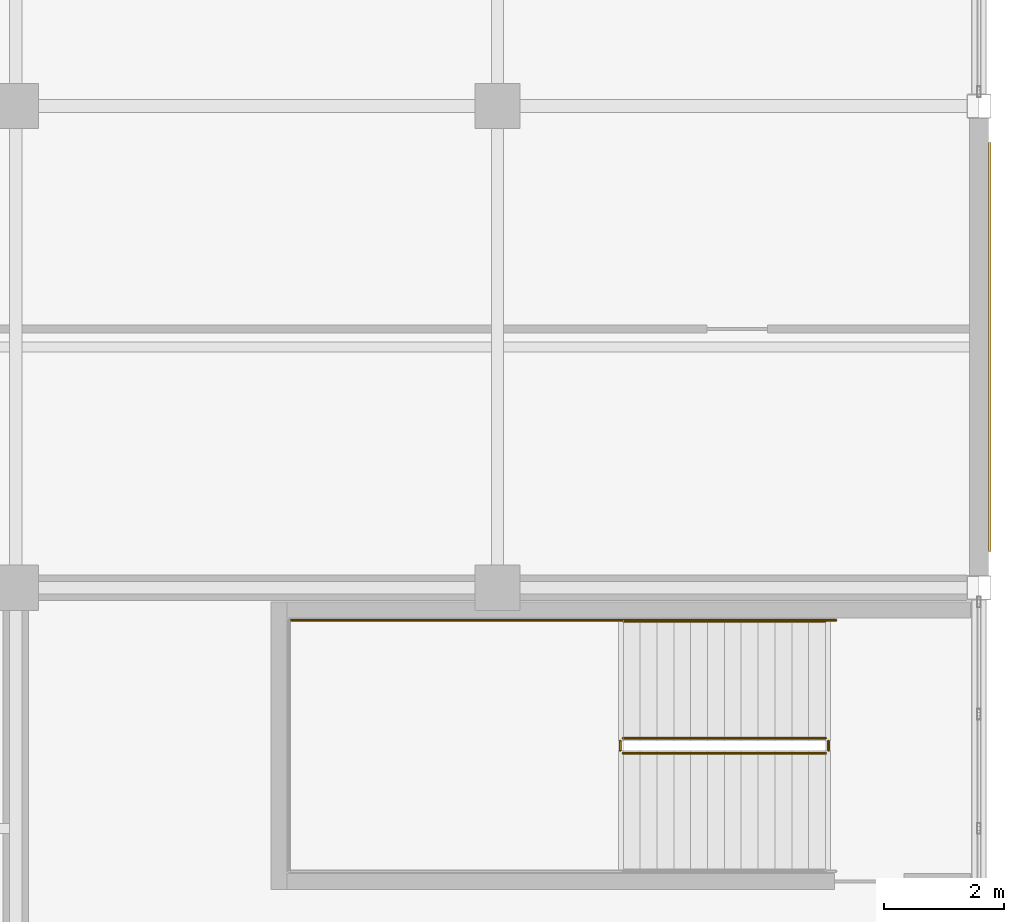
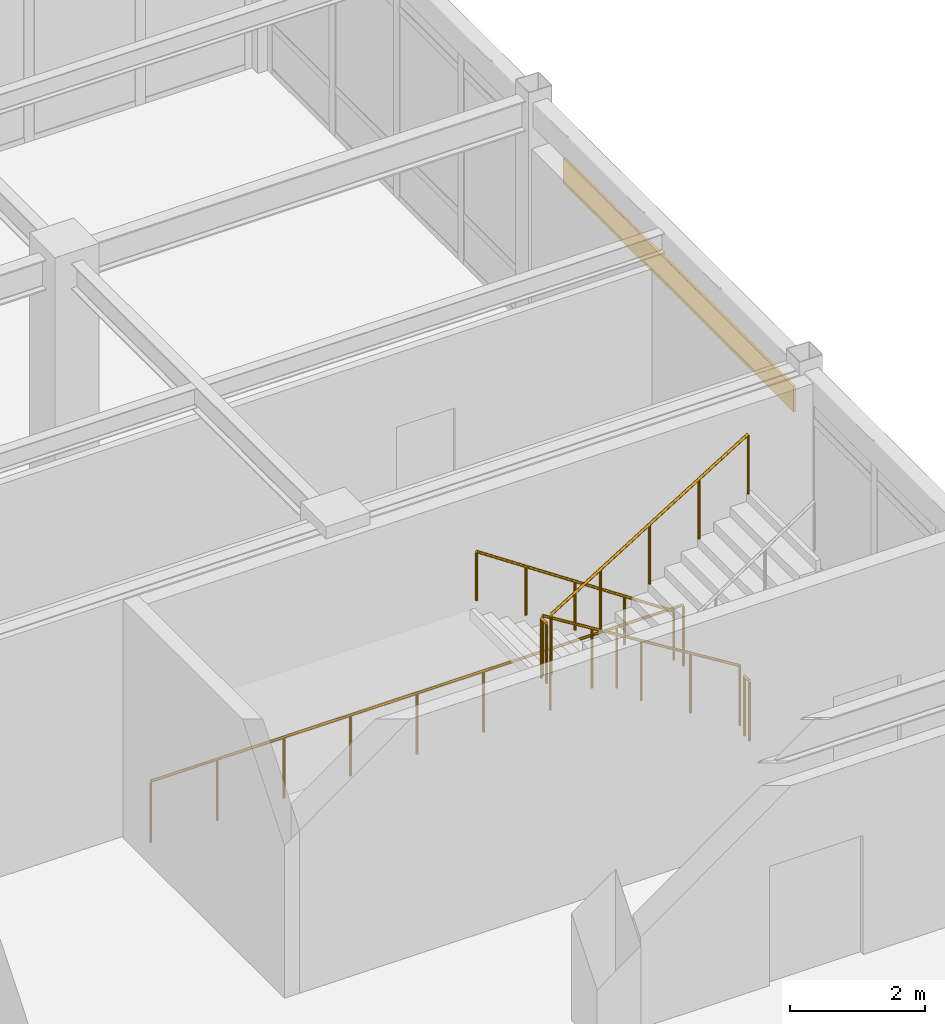
# One storey, part 110 of 111: 6 railings, 1 covering.
"""IFC4 building model written with IfcOpenShell, lengths in metres."""

from ifc_helpers import new_model, si_unit, direction, frame, origin, origin_2d, place, context, subcontext, project, spatial, rectangle, circle, extrude, material, layer, layer_set, type_object, element, save


model = new_model("IFC4")

# Units and contexts
model_context = context("Model", 3, precision=1e-05, world=origin(), true_north=direction((0.0, 1.0)))
body_context = subcontext(model_context, "Body", "Model", "MODEL_VIEW")
ifc_project = project(units=[si_unit("LENGTHUNIT", "METRE"), si_unit("AREAUNIT", "SQUARE_METRE"), si_unit("VOLUMEUNIT", "CUBIC_METRE"), si_unit("PLANEANGLEUNIT", "RADIAN"), si_unit("MASSUNIT", "GRAM", prefix="KILO")], contexts=[model_context])

# Site, building, storey
site_placement = place(None, origin())
site = spatial("IfcSite", under=ifc_project, at=site_placement, CompositionType="ELEMENT")
building_placement = place(site_placement, origin())
building = spatial("IfcBuilding", under=site, at=building_placement, Name="Solmirada Galleria", CompositionType="ELEMENT")
storey_placement = place(building_placement, frame((0.0, 0.0, 10.39990234375)))
storey = spatial("IfcBuildingStorey", under=building, at=storey_placement, Name="L02", CompositionType="ELEMENT", Elevation=10.39990234375)

# Covering
ifc_material_1 = material(Name="Glazed terracotta facade panels", Category="masonry")
ifc_layer = layer(ifc_material_1, 0.0400390625)
ifc_layer_set = layer_set([ifc_layer], Name="Glazed terracotta facade panels")
covering_type = type_object("IfcCoveringType", Name="COV-CLAD-TERRA", PredefinedType="CLADDING", material=ifc_layer_set)
covering_placement = place(storey_placement, frame((176.175048828125, 108.0, 2.990234375), z_axis=(0.0, 0.0, 1.0), x_axis=(0.0, -1.0, 0.0)))
element("IfcCovering", 1, at=covering_placement, inside=storey, type_object=covering_type, Name="Postmodern facade cladding L02-159", PredefinedType="CLADDING", context=body_context, shape_type="SweptSolid", body=[
    extrude(rectangle(XDim=6.7939453125, YDim=0.0400390625, at=origin_2d()), origin(), (0.0, 0.0, 1.0), 0.4599609375),
])

# Railings
ifc_material_2 = material(Name="Painted steel tubular railing", Category="steel")
railing_type_1 = type_object("IfcRailingType", Name="RAIL-STAIR-GUARD", PredefinedType="GUARDRAIL", material=ifc_material_2)
railing_1_placement = place(storey_placement, frame((173.449951171875, 101.5, 0.173095703125)))
element("IfcRailing", 2, at=railing_1_placement, inside=storey, type_object=railing_type_1, Name="L02 ST4 stair guard 1", PredefinedType="GUARDRAIL", context=body_context, shape_type="SweptSolid", body=[
    extrude(circle(Radius=0.02392578125, at=origin_2d()), frame((0.0, 0.0, 1.076171875), z_axis=(-0.850606129759, 0.0, 0.525803396734), x_axis=(0.0, -1.0, 0.0)), (0.0, 0.0, 1.0), 3.949951171875),
    extrude(circle(Radius=0.02099609375, at=origin_2d()), origin(), (0.0, 0.0, 1.0), 1.048095703125),
    extrude(circle(Radius=0.02099609375, at=origin_2d()), frame((-0.83984375, 0.0, 0.519287109375)), (0.0, 0.0, 1.0), 1.048095703125),
    extrude(circle(Radius=0.02099609375, at=origin_2d()), frame((-1.679931640625, 0.0, 1.03857421875)), (0.0, 0.0, 1.0), 1.048095703125),
    extrude(circle(Radius=0.02099609375, at=origin_2d()), frame((-2.52001953125, 0.0, 1.5576171875)), (0.0, 0.0, 1.0), 1.048095703125),
    extrude(circle(Radius=0.02099609375, at=origin_2d()), frame((-3.35986328125, 0.0, 2.076904296875)), (0.0, 0.0, 1.0), 1.048095703125),
])
railing_2_placement = place(storey_placement, frame((170.0400390625, 101.449951171875, 2.25)))
element("IfcRailing", 3, at=railing_2_placement, inside=storey, type_object=railing_type_1, Name="L02 ST4 stair guard 2", PredefinedType="GUARDRAIL", context=body_context, shape_type="SweptSolid", body=[
    extrude(circle(Radius=0.02392578125, at=origin_2d()), frame((0.0, 0.0, 1.076171875), z_axis=(0.0, -1.0, 0.0), x_axis=(1.0, 0.0, 0.0)), (0.0, 0.0, 1.0), 0.14990234375),
    extrude(circle(Radius=0.02099609375, at=origin_2d()), origin(), (0.0, 0.0, 1.0), 1.048095703125),
    extrude(circle(Radius=0.02099609375, at=origin_2d()), frame((0.0, -0.14990234375, 0.0)), (0.0, 0.0, 1.0), 1.048095703125),
])
railing_3_placement = place(storey_placement, frame((170.090087890625, 101.25, 2.423095703125)))
element("IfcRailing", 4, at=railing_3_placement, inside=storey, type_object=railing_type_1, Name="L02 ST4 stair guard 3", PredefinedType="GUARDRAIL", context=body_context, shape_type="SweptSolid", body=[
    extrude(circle(Radius=0.02392578125, at=origin_2d()), frame((0.0, 0.0, 1.076171875), z_axis=(0.850606129759, 0.0, 0.525803396734), x_axis=(0.0, 1.0, 0.0)), (0.0, 0.0, 1.0), 3.949951171875),
    extrude(circle(Radius=0.02099609375, at=origin_2d()), origin(), (0.0, 0.0, 1.0), 1.048095703125),
    extrude(circle(Radius=0.02099609375, at=origin_2d()), frame((0.83984375, 0.0, 0.519287109375)), (0.0, 0.0, 1.0), 1.048095703125),
    extrude(circle(Radius=0.02099609375, at=origin_2d()), frame((1.679931640625, 0.0, 1.03857421875)), (0.0, 0.0, 1.0), 1.048095703125),
    extrude(circle(Radius=0.02099609375, at=origin_2d()), frame((2.52001953125, 0.0, 1.5576171875)), (0.0, 0.0, 1.0), 1.048095703125),
    extrude(circle(Radius=0.02099609375, at=origin_2d()), frame((3.35986328125, 0.0, 2.076904296875)), (0.0, 0.0, 1.0), 1.048095703125),
])
railing_4_placement = place(storey_placement, frame((173.5, 101.449951171875, 0.0)))
element("IfcRailing", 5, at=railing_4_placement, inside=storey, type_object=railing_type_1, Name="L02 ST4 stair guard 4", PredefinedType="GUARDRAIL", context=body_context, shape_type="SweptSolid", body=[
    extrude(circle(Radius=0.02392578125, at=origin_2d()), frame((0.0, 0.0, 1.076171875), z_axis=(0.0, -1.0, 0.0), x_axis=(1.0, 0.0, 0.0)), (0.0, 0.0, 1.0), 0.14990234375),
    extrude(circle(Radius=0.02099609375, at=origin_2d()), origin(), (0.0, 0.0, 1.0), 1.048095703125),
    extrude(circle(Radius=0.02099609375, at=origin_2d()), frame((0.0, -0.14990234375, 0.0)), (0.0, 0.0, 1.0), 1.048095703125),
])
railing_5_placement = place(storey_placement, frame((164.5400390625, 103.4599609375, 0.0)))
element("IfcRailing", 6, at=railing_5_placement, inside=storey, type_object=railing_type_1, Name="Stair ST4 well edge guard L02-3", PredefinedType="GUARDRAIL", context=body_context, shape_type="SweptSolid", body=[
    extrude(circle(Radius=0.02392578125, at=origin_2d()), frame((0.0, 0.0, 1.09619140625), z_axis=(1.0, 0.0, 0.0), x_axis=(0.0, 1.0, 0.0)), (0.0, 0.0, 1.0), 9.080078125),
    extrude(circle(Radius=0.02099609375, at=origin_2d()), origin(), (0.0, 0.0, 1.0), 1.068115234375),
    extrude(circle(Radius=0.02099609375, at=origin_2d()), frame((1.135009765625, 0.0, 0.0)), (0.0, 0.0, 1.0), 1.068115234375),
    extrude(circle(Radius=0.02099609375, at=origin_2d()), frame((2.27001953125, 0.0, 0.0)), (0.0, 0.0, 1.0), 1.068115234375),
    extrude(circle(Radius=0.02099609375, at=origin_2d()), frame((3.405029296875, 0.0, 0.0)), (0.0, 0.0, 1.0), 1.068115234375),
    extrude(circle(Radius=0.02099609375, at=origin_2d()), frame((4.5400390625, 0.0, 0.0)), (0.0, 0.0, 1.0), 1.068115234375),
    extrude(circle(Radius=0.02099609375, at=origin_2d()), frame((5.675048828125, 0.0, 0.0)), (0.0, 0.0, 1.0), 1.068115234375),
    extrude(circle(Radius=0.02099609375, at=origin_2d()), frame((6.81005859375, 0.0, 0.0)), (0.0, 0.0, 1.0), 1.068115234375),
    extrude(circle(Radius=0.02099609375, at=origin_2d()), frame((7.945068359375, 0.0, 0.0)), (0.0, 0.0, 1.0), 1.068115234375),
    extrude(circle(Radius=0.02099609375, at=origin_2d()), frame((9.080078125, 0.0, 0.0)), (0.0, 0.0, 1.0), 1.068115234375),
])
railing_type_2 = type_object("IfcRailingType", Name="RAIL-STAIR-HAND", PredefinedType="HANDRAIL", material=ifc_material_2)
railing_6_placement = place(storey_placement, frame((173.449951171875, 103.449951171875, 0.173095703125)))
element("IfcRailing", 7, at=railing_6_placement, inside=storey, type_object=railing_type_2, Name="L02 ST4 stair handrail 1", PredefinedType="HANDRAIL", context=body_context, shape_type="SweptSolid", body=[
    extrude(circle(Radius=0.02392578125, at=origin_2d()), frame((0.0, 0.0, 0.8759765625), z_axis=(-0.830896709279, 0.0, 0.556426687452), x_axis=(0.0, -1.0, 0.0)), (0.0, 0.0, 1.0), 4.043701171875),
    extrude(circle(Radius=0.02099609375, at=origin_2d()), origin(), (0.0, 0.0, 1.0), 0.847900390625),
    extrude(circle(Radius=0.02099609375, at=origin_2d()), frame((-0.83984375, 0.0, 0.5625)), (0.0, 0.0, 1.0), 0.847900390625),
    extrude(circle(Radius=0.02099609375, at=origin_2d()), frame((-1.679931640625, 0.0, 1.125)), (0.0, 0.0, 1.0), 0.847900390625),
    extrude(circle(Radius=0.02099609375, at=origin_2d()), frame((-2.52001953125, 0.0, 1.6875)), (0.0, 0.0, 1.0), 0.847900390625),
    extrude(circle(Radius=0.02099609375, at=origin_2d()), frame((-3.35986328125, 0.0, 2.25)), (0.0, 0.0, 1.0), 0.847900390625),
])

save(model, "model.ifc")
